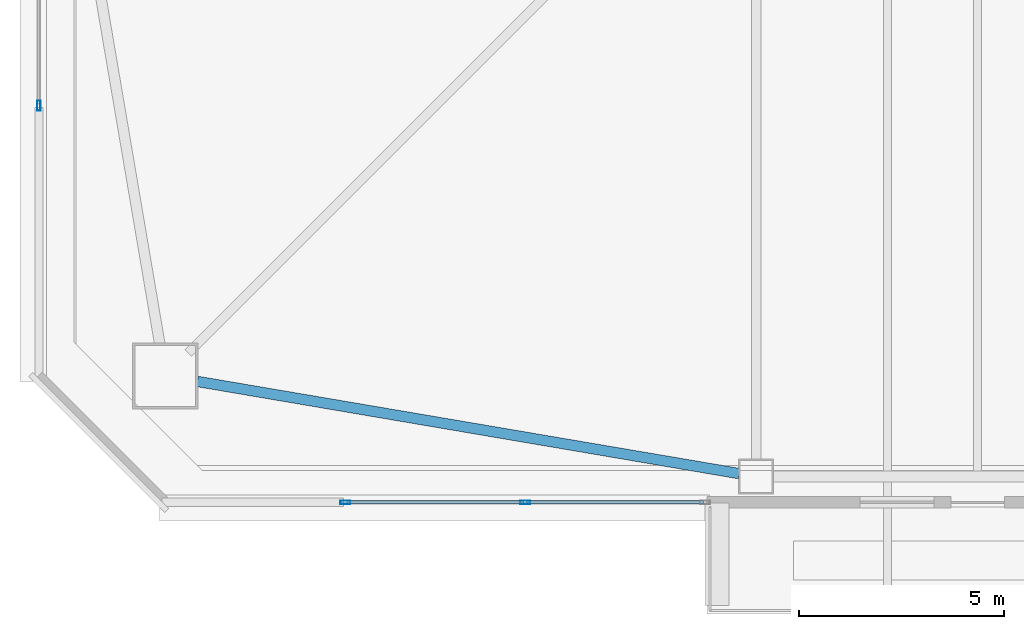
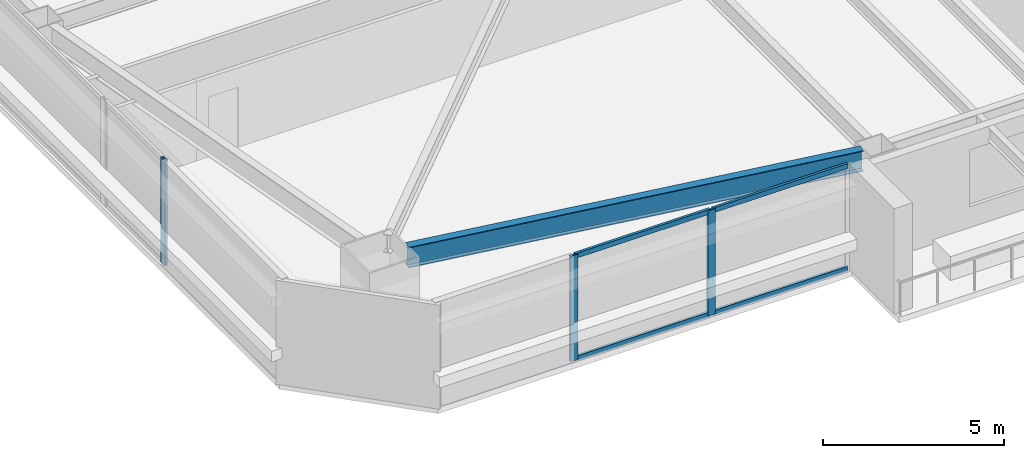
# One storey, part 3 of 46: 7 members, 1 beam, 2 elements without a shape of their own.
"""IFC4 building model written with IfcOpenShell, lengths in metres."""

from ifc_helpers import new_model, si_unit, direction, frame, origin, origin_2d, place, context, subcontext, project, spatial, hollow_rectangle, i_section, extrude, material, material_profile, profile_set, type_object, element, aggregate, save


model = new_model("IFC4")

# Units and contexts
model_context = context("Model", 3, precision=1e-05, world=origin(), true_north=direction((0.0, 1.0)))
body_context = subcontext(model_context, "Body", "Model", "MODEL_VIEW")
ifc_project = project(units=[si_unit("LENGTHUNIT", "METRE"), si_unit("AREAUNIT", "SQUARE_METRE"), si_unit("VOLUMEUNIT", "CUBIC_METRE"), si_unit("PLANEANGLEUNIT", "RADIAN"), si_unit("MASSUNIT", "GRAM", prefix="KILO")], contexts=[model_context])

# Site, building, storey
site_placement = place(None, origin())
site = spatial("IfcSite", under=ifc_project, at=site_placement, CompositionType="ELEMENT")
building_placement = place(site_placement, origin())
building = spatial("IfcBuilding", under=site, at=building_placement, Name="Tashvorn Skyway Center", CompositionType="ELEMENT")
storey_placement = place(building_placement, frame((0.0, 0.0, 60.10009765625)))
storey = spatial("IfcBuildingStorey", under=building, at=storey_placement, Name="L15", CompositionType="ELEMENT", Elevation=60.10009765625)

# Beam
ifc_material_1 = material(Name="Steel ASTM A992 Grade 50", Category="steel")
ifc_material_profile_1 = material_profile(ifc_material_1, i_section(OverallWidth=0.256103515625, OverallDepth=0.693115234375, WebThickness=0.014404296875, FlangeThickness=0.023681640625, at=origin_2d()), Name="W27X114")
ifc_profile_set_1 = profile_set([ifc_material_profile_1], Name="Steel ASTM A992 Grade 50")
beam_type = type_object("IfcBeamType", Name="BM-SPANDREL-W27X114", PredefinedType="SPANDREL", material=ifc_profile_set_1)
beam_placement = place(storey_placement, frame((22.983642578125, 12.066650390625, 3.00341796875), z_axis=(0.985835025551, -0.16771792509, 0.0), x_axis=(0.16771792509, 0.985835025551, 0.0)))
element("IfcBeam", 1, at=beam_placement, inside=storey, type_object=beam_type, Name="Tower 1 L15 Spandrel Beam 01", PredefinedType="SPANDREL", context=body_context, shape_type="SweptSolid", body=[
    extrude(i_section(OverallWidth=0.256103515625, OverallDepth=0.693115234375, WebThickness=0.014404296875, FlangeThickness=0.023681640625, at=origin_2d()), origin(), (0.0, 0.0, 1.0), 13.39208984375),
])

# Curtain wall, members
ifc_material_2 = material(Name="Thermally broken bronze-anodized aluminium 6063-T6", Category="aluminium")
curtain_wall_type = type_object("IfcCurtainWallType", Name="CW-CW-Z1", PredefinedType="NOTDEFINED", material=ifc_material_2)
curtain_wall_1_placement = place(storey_placement, origin())
curtain_wall_1 = element("IfcCurtainWall", 2, at=curtain_wall_1_placement, inside=storey, type_object=curtain_wall_type, Name="Tower 1 L15 South Curtain Wall R Glazing Group 1", PredefinedType="NOTDEFINED")
ifc_material_profile_2 = material_profile(ifc_material_2, hollow_rectangle(XDim=0.0849609375, YDim=0.239990234375, WallThickness=0.0048828125, at=origin_2d()), Name="ALU-MULL-85x240")
ifc_profile_set_2 = profile_set([ifc_material_profile_2], Name="Thermally broken bronze-anodized aluminium 6063-T6")
member_type_1 = type_object("IfcMemberType", Name="CWM-CW-Z1", PredefinedType="MULLION", material=ifc_profile_set_2)
member_1_placement = place(storey_placement, frame((30.973388671875, 9.1201171875, 0.0), z_axis=(0.0, 0.0, 1.0), x_axis=(0.0, -1.0, 0.0)))
member_1 = element("IfcMember", 3, at=member_1_placement, type_object=member_type_1, Name="CW-Z1 mullion 2", PredefinedType="MULLION", context=body_context, shape_type="SweptSolid", body=[
    extrude(hollow_rectangle(XDim=0.0849609375, YDim=0.239990234375, WallThickness=0.0048828125, at=origin_2d()), origin(), (0.0, 0.0, 1.0), 3.5498046875),
])
member_2_placement = place(storey_placement, frame((26.589111328125, 9.1201171875, 0.0), z_axis=(0.0, 0.0, 1.0), x_axis=(0.0, -1.0, 0.0)))
member_2 = element("IfcMember", 4, at=member_2_placement, type_object=member_type_1, Name="CW-Z1 mullion 3", PredefinedType="MULLION", context=body_context, shape_type="SweptSolid", body=[
    extrude(hollow_rectangle(XDim=0.0849609375, YDim=0.239990234375, WallThickness=0.0048828125, at=origin_2d()), origin(), (0.0, 0.0, 1.0), 3.5498046875),
])

# Curtain wall, member
curtain_wall_2_placement = place(storey_placement, origin())
curtain_wall_2 = element("IfcCurtainWall", 5, at=curtain_wall_2_placement, inside=storey, type_object=curtain_wall_type, Name="Tower 1 L15 West Unitised Curtain Wall Glazing Group 1", PredefinedType="NOTDEFINED")
member_3_placement = place(storey_placement, frame((19.1201171875, 18.789306640625, 0.0), z_axis=(0.0, 0.0, 1.0), x_axis=(-1.0, 0.0, 0.0)))
member_3 = element("IfcMember", 6, at=member_3_placement, type_object=member_type_1, Name="CW-Z1 mullion 1", PredefinedType="MULLION", context=body_context, shape_type="SweptSolid", body=[
    extrude(hollow_rectangle(XDim=0.0849609375, YDim=0.239990234375, WallThickness=0.0048828125, at=origin_2d()), origin(), (0.0, 0.0, 1.0), 3.5498046875),
])
aggregate(curtain_wall_2, [member_3])

# Member
ifc_material_profile_3 = material_profile(ifc_material_2, hollow_rectangle(XDim=0.0849609375, YDim=0.1650390625, WallThickness=0.0048828125, at=origin_2d()), Name="ALU-TRAN-85x165")
ifc_profile_set_3 = profile_set([ifc_material_profile_3], Name="Thermally broken bronze-anodized aluminium 6063-T6")
member_type_2 = type_object("IfcMemberType", Name="CWT-CW-Z1", PredefinedType="USERDEFINED", material=ifc_profile_set_3)
member_4_placement = place(storey_placement, frame((35.31494140625, 9.1201171875, 0.04248046875), z_axis=(-1.0, 0.0, 0.0), x_axis=(0.0, -1.0, 0.0)))
member_4 = element("IfcMember", 7, at=member_4_placement, type_object=member_type_2, Name="CW-Z1 transom 1.1", ObjectType="TRANSOM", PredefinedType="USERDEFINED", context=body_context, shape_type="SweptSolid", body=[
    extrude(hollow_rectangle(XDim=0.0849609375, YDim=0.1650390625, WallThickness=0.0048828125, at=origin_2d()), origin(), (0.0, 0.0, 1.0), 4.299072265625),
])

member_5_placement = place(storey_placement, frame((35.31494140625, 9.1201171875, 3.50732421875), z_axis=(-1.0, 0.0, 0.0), x_axis=(0.0, -1.0, 0.0)))
member_5 = element("IfcMember", 8, at=member_5_placement, type_object=member_type_2, Name="CW-Z1 transom 1.2", ObjectType="TRANSOM", PredefinedType="USERDEFINED", context=body_context, shape_type="SweptSolid", body=[
    extrude(hollow_rectangle(XDim=0.0849609375, YDim=0.1650390625, WallThickness=0.0048828125, at=origin_2d()), origin(), (0.0, 0.0, 1.0), 4.299072265625),
])

member_6_placement = place(storey_placement, frame((30.930908203125, 9.1201171875, 0.04248046875), z_axis=(-1.0, 0.0, 0.0), x_axis=(0.0, -1.0, 0.0)))
member_6 = element("IfcMember", 9, at=member_6_placement, type_object=member_type_2, Name="CW-Z1 transom 2.1", ObjectType="TRANSOM", PredefinedType="USERDEFINED", context=body_context, shape_type="SweptSolid", body=[
    extrude(hollow_rectangle(XDim=0.0849609375, YDim=0.1650390625, WallThickness=0.0048828125, at=origin_2d()), origin(), (0.0, 0.0, 1.0), 4.29931640625),
])

member_7_placement = place(storey_placement, frame((30.930908203125, 9.1201171875, 3.50732421875), z_axis=(-1.0, 0.0, 0.0), x_axis=(0.0, -1.0, 0.0)))
member_7 = element("IfcMember", 10, at=member_7_placement, type_object=member_type_2, Name="CW-Z1 transom 2.2", ObjectType="TRANSOM", PredefinedType="USERDEFINED", context=body_context, shape_type="SweptSolid", body=[
    extrude(hollow_rectangle(XDim=0.0849609375, YDim=0.1650390625, WallThickness=0.0048828125, at=origin_2d()), origin(), (0.0, 0.0, 1.0), 4.29931640625),
])

aggregate(curtain_wall_1, [member_1, member_2, member_4, member_5, member_6, member_7])

save(model, "model.ifc")
